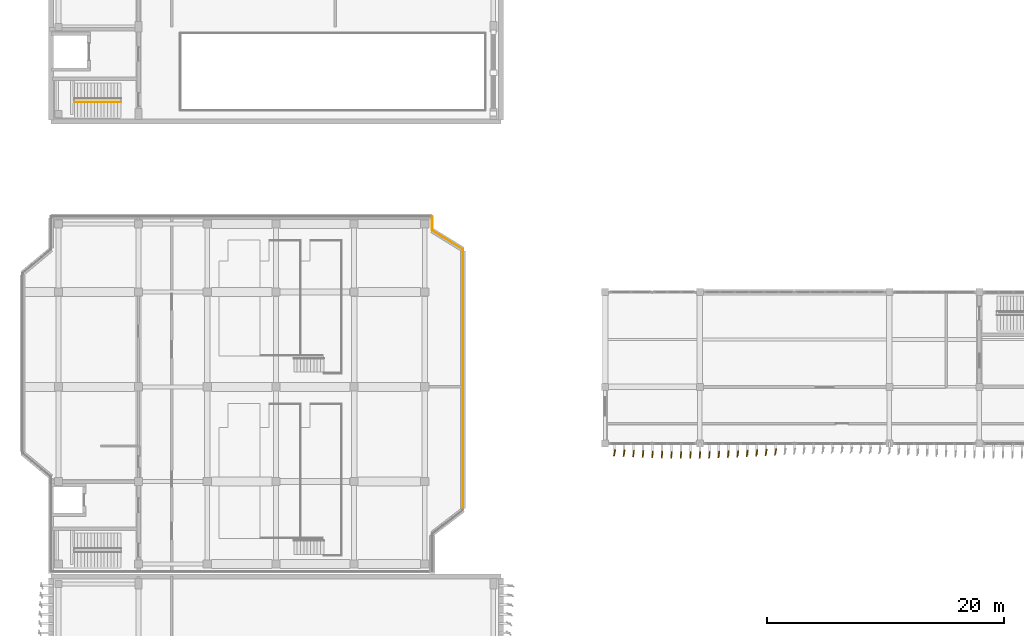
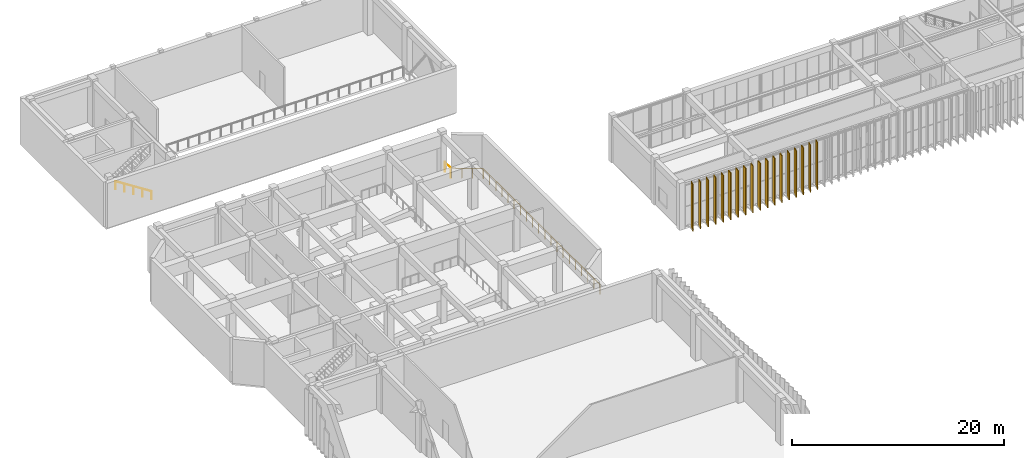
# One storey, part 56 of 64: 18 coverings, 4 railings.
"""IFC4 building model written with IfcOpenShell, lengths in metres."""

import ifcopenshell
import ifcopenshell.guid

model = None  # the IFC model being written
_history = None  # IfcOwnerHistory: only IFC2X3 demands one
_inside = {}  # id of a spatial element -> (the spatial element, [elements in it])
_under = {}  # id of a project, library or spatial element -> (it, [spatial elements below it])
_declared = {}  # id of a project -> (the project, [libraries it declares])
_typed = {}  # id of a type object -> (the type object, [elements of that type])
_made_of = {}  # id of a material, layer set ... -> (it, [elements and type objects made of it])


def new_model(schema):
    """Start an empty IFC model of exactly this schema.

    Asked for "IFC4X3", IfcOpenShell would pick the latest addendum, in which some entities
    have other attributes; the version numbers below select the first issue.
    IFC2X3 requires an IfcOwnerHistory on every rooted entity: one is made here for all.
    """
    global model, _history
    if schema == "IFC4X3":
        model = ifcopenshell.file(schema_version=(4, 3, 0, 0))
    else:
        model = ifcopenshell.file(schema=schema)
    _inside.clear()
    _under.clear()
    _declared.clear()
    _typed.clear()
    _made_of.clear()
    _history = None
    if model.schema == "IFC2X3":
        org = make("IfcOrganization", Name="unknown")
        user = make(
            "IfcPersonAndOrganization",
            ThePerson=make("IfcPerson", FamilyName="unknown"),
            TheOrganization=org,
        )
        app = make(
            "IfcApplication",
            ApplicationDeveloper=org,
            Version="unknown",
            ApplicationFullName="unknown",
            ApplicationIdentifier="unknown",
        )
        _history = make(
            "IfcOwnerHistory",
            OwningUser=user,
            OwningApplication=app,
            ChangeAction="ADDED",
            CreationDate=0,
        )
    return model


def make(cls, **values):
    """One entity of the class cls with the attributes given. An attribute that is None is left unset."""
    return model.create_entity(
        cls, **{name: value for name, value in values.items() if value is not None}
    )


def rooted(cls, **values):
    """An entity with a GlobalId (a new one), such as an element, a storey or a relation."""
    return make(cls, GlobalId=ifcopenshell.guid.new(), OwnerHistory=_history, **values)


def si_unit(unit_type, name, prefix=None):
    """IfcSIUnit, for example si_unit("LENGTHUNIT", "METRE", prefix="MILLI")."""
    return make("IfcSIUnit", UnitType=unit_type, Prefix=prefix, Name=name)


def assignment(units):
    """IfcUnitAssignment: the units of a project."""
    return None if units is None else make("IfcUnitAssignment", Units=units)


def point(xyz):
    """IfcCartesianPoint."""
    return None if xyz is None else make("IfcCartesianPoint", Coordinates=xyz)


def direction(xyz):
    """IfcDirection."""
    return None if xyz is None else make("IfcDirection", DirectionRatios=xyz)


def frame(location, z_axis=None, x_axis=None):
    """IfcAxis2Placement3D, a coordinate frame: its origin and axes. An axis left out is left unset."""
    return make(
        "IfcAxis2Placement3D",
        Location=point(location),
        Axis=direction(z_axis),
        RefDirection=direction(x_axis),
    )


def frame_2d(location, x_axis=None):
    """IfcAxis2Placement2D, a coordinate frame in the plane: its origin and x axis."""
    return make(
        "IfcAxis2Placement2D", Location=point(location), RefDirection=direction(x_axis)
    )


def origin():
    """The frame at (0, 0, 0) with its axes left unset."""
    return frame((0.0, 0.0, 0.0))


def origin_2d():
    """The frame at (0, 0) in the plane with its x axis left unset."""
    return frame_2d((0.0, 0.0))


def place(relative_to, where):
    """IfcLocalPlacement: puts the frame where relative to a parent placement (None: the world)."""
    return make(
        "IfcLocalPlacement", PlacementRelTo=relative_to, RelativePlacement=where
    )


def context(
    kind, dimensions, precision=None, world=None, true_north=None, identifier=None
):
    """IfcGeometricRepresentationContext, for example the 3D "Model" context."""
    return make(
        "IfcGeometricRepresentationContext",
        ContextIdentifier=identifier,
        ContextType=kind,
        CoordinateSpaceDimension=dimensions,
        Precision=precision,
        WorldCoordinateSystem=world,
        TrueNorth=true_north,
    )


def subcontext(parent, identifier, kind, view, scale=None):
    """IfcGeometricRepresentationSubContext, for example "Body" below "Model"."""
    return make(
        "IfcGeometricRepresentationSubContext",
        ContextIdentifier=identifier,
        ContextType=kind,
        ParentContext=parent,
        TargetScale=scale,
        TargetView=view,
    )


def project(units=None, contexts=None):
    """IfcProject with its units and contexts."""
    return rooted(
        "IfcProject",
        Name="project",
        RepresentationContexts=contexts,
        UnitsInContext=assignment(units),
    )


def spatial(cls, under=None, at=None, **own):
    """A site, building, storey or space (cls), placed at a placement, below another one or the project."""
    s = rooted(cls, ObjectPlacement=at, **own)
    if under is not None:
        _under.setdefault(under.id(), (under, []))[1].append(s)
    return s


def profile(cls, at=None, kind="AREA", **sizes):
    """A parametric profile (cls). Its sizes go by their IFC names, for example OverallWidth=200.0."""
    return make(cls, ProfileType=kind, Position=at, **sizes)


def rectangle(**sizes):
    """IfcRectangleProfileDef."""
    return profile("IfcRectangleProfileDef", **sizes)


def circle(**sizes):
    """IfcCircleProfileDef."""
    return profile("IfcCircleProfileDef", **sizes)


def extrude(swept, where, along, depth):
    """IfcExtrudedAreaSolid: the profile swept, set in the frame where, extruded along a direction by depth."""
    return make(
        "IfcExtrudedAreaSolid",
        SweptArea=swept,
        Position=where,
        ExtrudedDirection=direction(along),
        Depth=depth,
    )


def shape(context_of_items, identifier, shape_type, items):
    """IfcShapeRepresentation: the items that make up one representation, for example the "Body"."""
    return make(
        "IfcShapeRepresentation",
        ContextOfItems=context_of_items,
        RepresentationIdentifier=identifier,
        RepresentationType=shape_type,
        Items=items,
    )


def material(Name=None, Category=None):
    """IfcMaterial."""
    return make("IfcMaterial", Name=Name, Category=Category)


def layer(
    of_material, thickness, ventilated=None, Name=None, Category=None, Priority=None
):
    """IfcMaterialLayer: one layer of a wall or slab, of a material (None: an air gap)."""
    return make(
        "IfcMaterialLayer",
        Material=of_material,
        LayerThickness=thickness,
        IsVentilated=ventilated,
        Name=Name,
        Category=Category,
        Priority=Priority,
    )


def layer_set(layers, Name=None):
    """IfcMaterialLayerSet."""
    return make("IfcMaterialLayerSet", MaterialLayers=layers, LayerSetName=Name)


def made_of(thing, what):
    """Note that an element or type object is made of a material, layer set ...; save() writes the relation."""
    if what is not None:
        _made_of.setdefault(what.id(), (what, []))[1].append(thing)
    return thing


def type_object(cls, material=None, **own):
    """A type object (cls), such as IfcWallType, which elements share."""
    return made_of(rooted(cls, **own), material)


def element(
    cls,
    number,
    at=None,
    inside=None,
    cuts=None,
    type_object=None,
    material=None,
    context=None,
    identifier="Body",
    shape_type=None,
    held_by="IfcProductDefinitionShape",
    body=None,
    shapes=None,
    **own,
):
    """One element of the class cls, such as IfcWall. Its Tag is "e" and its number.

    at: its placement. inside: the storey or other place that contains it. cuts: it is an
    opening in that element (IfcRelVoidsElement). A single representation is given by context,
    identifier, shape_type and body (its items); several are given by shapes. held_by: the class
    of the entity that holds the representations. save() writes the other relations.
    """
    e = rooted(cls, Tag="e%d" % number, ObjectPlacement=at, **own)
    if body is not None:
        shapes = [shape(context, identifier, shape_type, body)]
    if shapes is not None:
        e.Representation = make(held_by, Representations=shapes)
    if inside is not None:
        _inside.setdefault(inside.id(), (inside, []))[1].append(e)
    if cuts is not None:
        rooted(
            "IfcRelVoidsElement", RelatingBuildingElement=cuts, RelatedOpeningElement=e
        )
    if type_object is not None:
        _typed.setdefault(type_object.id(), (type_object, []))[1].append(e)
    return made_of(e, material)


def aggregate(whole, parts):
    """IfcRelAggregates: a whole, such as a stair, and the parts it consists of."""
    return rooted("IfcRelAggregates", RelatingObject=whole, RelatedObjects=parts)


def save(model, path):
    """Write the relations noted so far, then the file.

    IfcRelAggregates (storeys below a building ...), IfcRelContainedInSpatialStructure (elements
    in a storey), IfcRelDefinesByType, IfcRelAssociatesMaterial and IfcRelDeclares: one each for
    every whole, place, type object, material and project.
    """
    for whole, parts in _under.values():
        aggregate(whole, parts)
    for where, things in _inside.values():
        rooted(
            "IfcRelContainedInSpatialStructure",
            RelatedElements=things,
            RelatingStructure=where,
        )
    for kind, things in _typed.values():
        rooted("IfcRelDefinesByType", RelatedObjects=things, RelatingType=kind)
    for what, things in _made_of.values():
        rooted("IfcRelAssociatesMaterial", RelatedObjects=things, RelatingMaterial=what)
    for by, libraries in _declared.values():
        rooted("IfcRelDeclares", RelatingContext=by, RelatedDefinitions=libraries)
    model.write(path)


model = new_model("IFC4")

# Units and contexts
model_context = context("Model", 3, precision=1e-05, world=origin(), true_north=direction((0.0, 1.0)))
body_context = subcontext(model_context, "Body", "Model", "MODEL_VIEW")
ifc_project = project(units=[si_unit("LENGTHUNIT", "METRE"), si_unit("AREAUNIT", "SQUARE_METRE"), si_unit("VOLUMEUNIT", "CUBIC_METRE"), si_unit("PLANEANGLEUNIT", "RADIAN"), si_unit("MASSUNIT", "GRAM", prefix="KILO")], contexts=[model_context])

# Site, building, storey
site_placement = place(None, origin())
site = spatial("IfcSite", under=ifc_project, at=site_placement, CompositionType="ELEMENT")
building_placement = place(site_placement, origin())
building = spatial("IfcBuilding", under=site, at=building_placement, Name="Cinchona Park Media Centre", CompositionType="ELEMENT")
storey_placement = place(building_placement, frame((0.0, 0.0, 10.199951171875)))
storey = spatial("IfcBuildingStorey", under=building, at=storey_placement, Name="L02", CompositionType="ELEMENT", Elevation=10.199951171875)

# Coverings
ifc_material_1 = material(Name="Anodised Storm-Resistant Aluminium Fin", Category="aluminium")
ifc_layer = layer(ifc_material_1, 0.090087890625)
ifc_layer_set = layer_set([ifc_layer], Name="Anodised Storm-Resistant Aluminium Fin")
covering_type = type_object("IfcCoveringType", Name="CLADDING-FIN01", PredefinedType="CLADDING", material=ifc_layer_set)
for number, where, z_axis, x_axis, name in (
    (1, (55.60009765625, 74.030029296875, 0.0), (0.0, 0.0, 1.0), (0.213541936916, 0.97693389806, 0.0), "Twisting Vertical Facade Fin L02"),
    (2, (56.39990234375, 73.990966796875, 0.0), (0.0, 0.0, 1.0), (0.191322947989, 0.981527141537, 0.0), "Twisting Vertical Facade Fin L02"),
    (3, (57.199951171875, 73.9541015625, 0.0), (0.0, 0.0, 1.0), (0.170037510451, 0.985437590637, 0.0), "Twisting Vertical Facade Fin L02"),
    (4, (58.0, 73.919921875, 0.0), (0.0, 0.0, 1.0), (0.150743225348, 0.988572951285, 0.0), "Twisting Vertical Facade Fin L02"),
    (5, (58.800048828125, 73.89111328125, 0.0), (0.0, 0.0, 1.0), (0.134159142573, 0.990959799621, 0.0), "Twisting Vertical Facade Fin L02"),
    (6, (59.60009765625, 73.867919921875, 0.0), (0.0, 0.0, 1.0), (0.120829884873, 0.992673228672, 0.0), "Twisting Vertical Facade Fin L02"),
    (7, (60.39990234375, 73.85205078125, 0.0), (0.0, 0.0, 1.0), (0.111122034978, 0.993806768614, 0.0), "Twisting Vertical Facade Fin L02"),
    (8, (61.199951171875, 73.842041015625, 0.0), (0.0, 0.0, 1.0), (0.105743422663, 0.994393447567, 0.0), "Twisting Vertical Facade Fin L02"),
    (9, (62.0, 73.840087890625, 0.0), (0.0, 0.0, 1.0), (0.10470203849, 0.994503636562, 0.0), "Twisting Vertical Facade Fin L02"),
    (10, (62.800048828125, 73.845947265625, 0.0), (0.0, 0.0, 1.0), (0.107999355706, 0.994150963972, 0.0), "Twisting Vertical Facade Fin L02"),
    (11, (63.60009765625, 73.85888671875, 0.0), (0.0, 0.0, 1.0), (0.115457263478, 0.993312448482, 0.0), "Twisting Vertical Facade Fin L02"),
    (12, (64.39990234375, 73.87890625, 0.0), (0.0, 0.0, 1.0), (0.127064608601, 0.99189444259, 0.0), "Twisting Vertical Facade Fin L02"),
    (13, (65.199951171875, 73.905029296875, 0.0), (0.0, 0.0, 1.0), (0.142110668555, 0.989850775563, 0.0), "Twisting Vertical Facade Fin L02"),
    (14, (66.0, 73.93603515625, 0.0), (0.0, 0.0, 1.0), (0.160225753504, 0.987080395872, 0.0), "Twisting Vertical Facade Fin L02"),
    (15, (66.800048828125, 73.971923828125, 0.0), (0.0, 0.0, 1.0), (0.180519145251, 0.983571470813, 0.0), "Twisting Vertical Facade Fin L02"),
    (16, (67.60009765625, 74.010009765625, 0.0), (0.0, 0.0, 1.0), (0.202445469766, 0.979293537082, 0.0), "Twisting Vertical Facade Fin L02"),
    (17, (68.39990234375, 74.050048828125, 0.0), (0.0, 0.0, 1.0), (0.224951054344, 0.974370064785, 0.0), "Twisting Vertical Facade Fin L02"),
    (18, (69.199951171875, 74.090087890625, 0.0), (0.0, 0.0, 1.0), (0.247337247968, 0.968929453452, 0.0), "Twisting Vertical Facade Fin L02"),
):
    element("IfcCovering", number, at=place(storey_placement, frame(where, z_axis=z_axis, x_axis=x_axis)), inside=storey, type_object=covering_type, Name=name, PredefinedType="CLADDING", context=body_context, shape_type="SweptSolid", body=[
        extrude(rectangle(XDim=0.56005859375, YDim=0.090087890625, at=origin_2d()), origin(), (0.0, 0.0, 1.0), 5.39990234375),
    ])

# Railings
ifc_material_2 = material(Name="Painted Steel Stairwell Guardrail", Category="steel")
railing_type_1 = type_object("IfcRailingType", Name="RAILING-GR02", PredefinedType="GUARDRAIL", material=ifc_material_2)
railing_1_placement = place(storey_placement, frame((42.800048828125, 69.23193359375, 0.0)))
element("IfcRailing", 19, at=railing_1_placement, inside=storey, type_object=railing_type_1, Name="Auditorium Wedge Perimeter Guardrail GR02 L02 S4", PredefinedType="GUARDRAIL", context=body_context, shape_type="SweptSolid", body=[
    extrude(circle(Radius=0.02392578125, at=origin_2d()), frame((0.0, 0.0, 1.09619140625), z_axis=(0.0, 1.0, 0.0), x_axis=(-1.0, 0.0, 0.0)), (0.0, 0.0, 1.0), 21.93603515625),
    extrude(circle(Radius=0.02099609375, at=origin_2d()), origin(), (0.0, 0.0, 1.0), 1.072021484375),
    extrude(circle(Radius=0.02099609375, at=origin_2d()), frame((0.0, 1.154541015625, 0.0)), (0.0, 0.0, 1.0), 1.072021484375),
    extrude(circle(Radius=0.02099609375, at=origin_2d()), frame((0.0, 2.30908203125, 0.0)), (0.0, 0.0, 1.0), 1.072021484375),
    extrude(circle(Radius=0.02099609375, at=origin_2d()), frame((0.0, 3.463623046875, 0.0)), (0.0, 0.0, 1.0), 1.072021484375),
    extrude(circle(Radius=0.02099609375, at=origin_2d()), frame((0.0, 4.6181640625, 0.0)), (0.0, 0.0, 1.0), 1.072021484375),
    extrude(circle(Radius=0.02099609375, at=origin_2d()), frame((0.0, 5.772705078125, 0.0)), (0.0, 0.0, 1.0), 1.072021484375),
    extrude(circle(Radius=0.02099609375, at=origin_2d()), frame((0.0, 6.92724609375, 0.0)), (0.0, 0.0, 1.0), 1.072021484375),
    extrude(circle(Radius=0.02099609375, at=origin_2d()), frame((0.0, 8.081787109375, 0.0)), (0.0, 0.0, 1.0), 1.072021484375),
    extrude(circle(Radius=0.02099609375, at=origin_2d()), frame((0.0, 9.236328125, 0.0)), (0.0, 0.0, 1.0), 1.072021484375),
    extrude(circle(Radius=0.02099609375, at=origin_2d()), frame((0.0, 10.390869140625, 0.0)), (0.0, 0.0, 1.0), 1.072021484375),
    extrude(circle(Radius=0.02099609375, at=origin_2d()), frame((0.0, 11.545166015625, 0.0)), (0.0, 0.0, 1.0), 1.072021484375),
    extrude(circle(Radius=0.02099609375, at=origin_2d()), frame((0.0, 12.69970703125, 0.0)), (0.0, 0.0, 1.0), 1.072021484375),
    extrude(circle(Radius=0.02099609375, at=origin_2d()), frame((0.0, 13.854248046875, 0.0)), (0.0, 0.0, 1.0), 1.072021484375),
    extrude(circle(Radius=0.02099609375, at=origin_2d()), frame((0.0, 15.0087890625, 0.0)), (0.0, 0.0, 1.0), 1.072021484375),
    extrude(circle(Radius=0.02099609375, at=origin_2d()), frame((0.0, 16.163330078125, 0.0)), (0.0, 0.0, 1.0), 1.072021484375),
    extrude(circle(Radius=0.02099609375, at=origin_2d()), frame((0.0, 17.31787109375, 0.0)), (0.0, 0.0, 1.0), 1.072021484375),
    extrude(circle(Radius=0.02099609375, at=origin_2d()), frame((0.0, 18.472412109375, 0.0)), (0.0, 0.0, 1.0), 1.072021484375),
    extrude(circle(Radius=0.02099609375, at=origin_2d()), frame((0.0, 19.626953125, 0.0)), (0.0, 0.0, 1.0), 1.072021484375),
    extrude(circle(Radius=0.02099609375, at=origin_2d()), frame((0.0, 20.781494140625, 0.0)), (0.0, 0.0, 1.0), 1.072021484375),
    extrude(circle(Radius=0.02099609375, at=origin_2d()), frame((0.0, 21.93603515625, 0.0)), (0.0, 0.0, 1.0), 1.072021484375),
])
railing_2_placement = place(storey_placement, frame((42.77294921875, 91.217041015625, 0.0)))
element("IfcRailing", 20, at=railing_2_placement, inside=storey, type_object=railing_type_1, Name="Auditorium Wedge Perimeter Guardrail GR02 L02 S5", PredefinedType="GUARDRAIL", context=body_context, shape_type="SweptSolid", body=[
    extrude(circle(Radius=0.02392578125, at=origin_2d()), frame((0.0, 0.0, 1.09619140625), z_axis=(-0.85177608502, 0.523906003962, 0.0), x_axis=(-0.523906003962, -0.85177608502, 0.0)), (0.0, 0.0, 1.0), 2.989013671875),
    extrude(circle(Radius=0.02099609375, at=origin_2d()), origin(), (0.0, 0.0, 1.0), 1.072021484375),
    extrude(circle(Radius=0.02099609375, at=origin_2d()), frame((-0.8486328125, 0.52197265625, 0.0)), (0.0, 0.0, 1.0), 1.072021484375),
    extrude(circle(Radius=0.02099609375, at=origin_2d()), frame((-1.697265625, 1.0439453125, 0.0)), (0.0, 0.0, 1.0), 1.072021484375),
    extrude(circle(Radius=0.02099609375, at=origin_2d()), frame((-2.5458984375, 1.56591796875, 0.0)), (0.0, 0.0, 1.0), 1.072021484375),
])
railing_3_placement = place(storey_placement, frame((40.199951171875, 92.83203125, 0.0)))
element("IfcRailing", 21, at=railing_3_placement, inside=storey, type_object=railing_type_1, Name="Auditorium Wedge Perimeter Guardrail GR02 L02 S6", PredefinedType="GUARDRAIL", context=body_context, shape_type="SweptSolid", body=[
    extrude(circle(Radius=0.02392578125, at=origin_2d()), frame((0.0, 0.0, 1.09619140625), z_axis=(0.0, 1.0, 0.0), x_axis=(-1.0, 0.0, 0.0)), (0.0, 0.0, 1.0), 1.135986328125),
    extrude(circle(Radius=0.02099609375, at=origin_2d()), origin(), (0.0, 0.0, 1.0), 1.072021484375),
    extrude(circle(Radius=0.02099609375, at=origin_2d()), frame((0.0, 1.135986328125, 0.0)), (0.0, 0.0, 1.0), 1.072021484375),
])
ifc_material_3 = material(Name="Brushed Stainless Steel Handrail", Category="steel")
railing_type_2 = type_object("IfcRailingType", Name="RAILING-HR01", PredefinedType="HANDRAIL", material=ifc_material_3)
railing_4_placement = place(storey_placement, frame((13.89990234375, 103.659912109375, 0.179931640625)))
element("IfcRailing", 22, at=railing_4_placement, inside=storey, type_object=railing_type_2, Name="Stair Handrail HR01 ST4 L02 F1", PredefinedType="HANDRAIL", context=body_context, shape_type="SweptSolid", body=[
    extrude(circle(Radius=0.02392578125, at=origin_2d()), frame((0.0, 0.0, 0.8759765625), z_axis=(-0.841171666519, 0.0, 0.540768182723), x_axis=(0.0, -1.0, 0.0)), (0.0, 0.0, 1.0), 4.66015625),
    extrude(circle(Radius=0.02099609375, at=origin_2d()), origin(), (0.0, 0.0, 1.0), 0.851806640625),
    extrude(circle(Radius=0.02099609375, at=origin_2d()), frame((-0.97998046875, 0.0, 0.6298828125)), (0.0, 0.0, 1.0), 0.851806640625),
    extrude(circle(Radius=0.02099609375, at=origin_2d()), frame((-1.9599609375, 0.0, 1.260009765625)), (0.0, 0.0, 1.0), 0.851806640625),
    extrude(circle(Radius=0.02099609375, at=origin_2d()), frame((-2.93994140625, 0.0, 1.89013671875)), (0.0, 0.0, 1.0), 0.851806640625),
    extrude(circle(Radius=0.02099609375, at=origin_2d()), frame((-3.919921875, 0.0, 2.52001953125)), (0.0, 0.0, 1.0), 0.851806640625),
])

save(model, "model.ifc")
